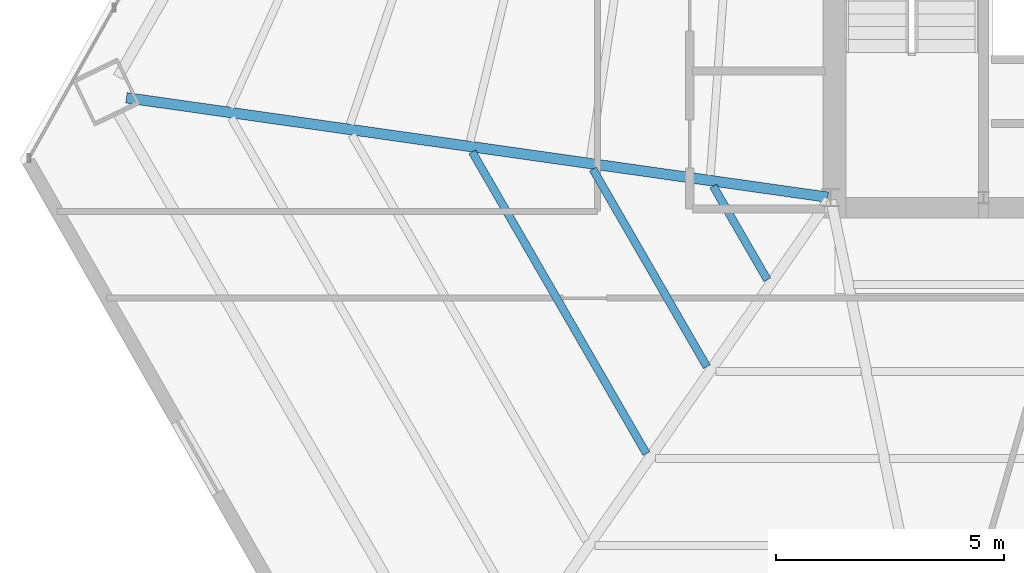
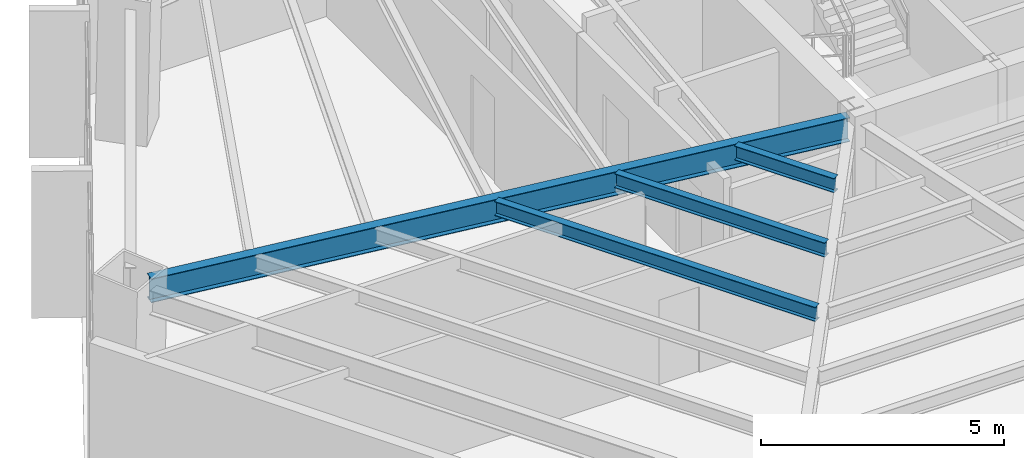
# One storey, part 7 of 36: 4 beams.
"""IFC4 building model written with IfcOpenShell, lengths in metres."""

from ifc_helpers import new_model, si_unit, direction, frame, origin, origin_2d, place, context, subcontext, project, spatial, i_section, extrude, source, transform, mapped, material, material_profile, profile_set, type_object, type_shapes, element, save


model = new_model("IFC4")

# Units and contexts
model_context = context("Model", 3, precision=1e-05, world=origin(), true_north=direction((0.0, 1.0)))
body_context = subcontext(model_context, "Body", "Model", "MODEL_VIEW")
ifc_project = project(units=[si_unit("LENGTHUNIT", "METRE"), si_unit("AREAUNIT", "SQUARE_METRE"), si_unit("VOLUMEUNIT", "CUBIC_METRE"), si_unit("PLANEANGLEUNIT", "RADIAN"), si_unit("MASSUNIT", "GRAM", prefix="KILO")], contexts=[model_context])

# Site, building, storey
site_placement = place(None, origin())
site = spatial("IfcSite", under=ifc_project, at=site_placement, CompositionType="ELEMENT")
building_placement = place(site_placement, origin())
building = spatial("IfcBuilding", under=site, at=building_placement, Name="Caelisora Broadcast Tower", CompositionType="ELEMENT")
storey_placement = place(building_placement, frame((0.0, 0.0, 83.5)))
storey = spatial("IfcBuildingStorey", under=building, at=storey_placement, Name="L21", CompositionType="ELEMENT", Elevation=83.5)

# Beams
ifc_material = material(Name="Steel Grade 350 (AS/NZS 3679.1)", Category="steel")
ifc_material_profile_1 = material_profile(ifc_material, i_section(OverallWidth=0.22802734375, OverallDepth=0.602294921875, WebThickness=0.010498046875, FlangeThickness=0.014892578125, at=origin_2d()), Name="Steel Grade 350 (AS/NZS 3679.1)")
ifc_profile_set_1 = profile_set([ifc_material_profile_1], Name="Steel Grade 350 (AS/NZS 3679.1)")
beam_type_1 = type_object("IfcBeamType", Name="PG04", PredefinedType="BEAM", material=ifc_profile_set_1)
shared_shape_1 = source(origin(), body_context, "Body", "SweptSolid", [
    extrude(i_section(OverallWidth=0.22802734375, OverallDepth=0.602294921875, WebThickness=0.010498046875, FlangeThickness=0.014892578125, at=origin_2d()), origin(), (0.0, 0.0, 1.0), 15.501953125),
])
type_shapes(beam_type_1, [shared_shape_1])
beam_1_placement = place(storey_placement, frame((30.440673828125, 17.408447265625, 3.098876953125), z_axis=(-0.990096679829, 0.140387195253, 0.0), x_axis=(-0.140387195253, -0.990096679829, 0.0)))
element("IfcBeam", 1, at=beam_1_placement, inside=storey, type_object=beam_type_1, Name="L21 beam PG04", PredefinedType="BEAM", context=body_context, shape_type="MappedRepresentation", body=[
    mapped(shared_shape_1, transform((0.0, 0.0, 0.0), scale=1.0)),
])
ifc_material_profile_2 = material_profile(ifc_material, i_section(OverallWidth=0.172119140625, OverallDepth=0.358642578125, WebThickness=0.008056640625, FlangeThickness=0.012939453125, at=origin_2d()), Name="Steel Grade 350 (AS/NZS 3679.1)")
ifc_profile_set_2 = profile_set([ifc_material_profile_2], Name="Steel Grade 350 (AS/NZS 3679.1)")
beam_type_2 = type_object("IfcBeamType", Name="SB02", PredefinedType="JOIST", material=ifc_profile_set_2)
shared_shape_2 = source(origin(), body_context, "Body", "SweptSolid", [
    extrude(i_section(OverallWidth=0.172119140625, OverallDepth=0.358642578125, WebThickness=0.008056640625, FlangeThickness=0.012939453125, at=origin_2d()), origin(), (0.0, 0.0, 1.0), 2.364990234375),
])
beam_2_placement = place(storey_placement, frame((27.93359375, 17.651123046875, 3.220703125), z_axis=(0.50004711805, -0.865998198456, 0.0), x_axis=(0.865998198456, 0.50004711805, 0.0)))
element("IfcBeam", 2, at=beam_2_placement, inside=storey, type_object=beam_type_2, Name="L21 beam SB02", PredefinedType="JOIST", context=body_context, shape_type="MappedRepresentation", body=[
    mapped(shared_shape_2, transform((0.0, 0.0, 0.0), scale=1.0)),
])
shared_shape_3 = source(origin(), body_context, "Body", "SweptSolid", [
    extrude(i_section(OverallWidth=0.172119140625, OverallDepth=0.358642578125, WebThickness=0.008056640625, FlangeThickness=0.012939453125, at=origin_2d()), origin(), (0.0, 0.0, 1.0), 4.99462890625),
])
beam_3_placement = place(storey_placement, frame((25.29638671875, 18.025146484375, 3.220703125), z_axis=(0.50000312645, -0.86602359872, 0.0), x_axis=(0.86602359872, 0.50000312645, 0.0)))
element("IfcBeam", 3, at=beam_3_placement, inside=storey, type_object=beam_type_2, Name="L21 beam SB02", PredefinedType="JOIST", context=body_context, shape_type="MappedRepresentation", body=[
    mapped(shared_shape_3, transform((0.0, 0.0, 0.0), scale=1.0)),
])
shared_shape_4 = source(origin(), body_context, "Body", "SweptSolid", [
    extrude(i_section(OverallWidth=0.172119140625, OverallDepth=0.358642578125, WebThickness=0.008056640625, FlangeThickness=0.012939453125, at=origin_2d()), origin(), (0.0, 0.0, 1.0), 7.6240234375),
])
type_shapes(beam_type_2, [shared_shape_2, shared_shape_3, shared_shape_4])
beam_4_placement = place(storey_placement, frame((22.6591796875, 18.39892578125, 3.220703125), z_axis=(0.500003346055, -0.86602347193, 0.0), x_axis=(0.86602347193, 0.500003346055, 0.0)))
element("IfcBeam", 4, at=beam_4_placement, inside=storey, type_object=beam_type_2, Name="L21 beam SB02", PredefinedType="JOIST", context=body_context, shape_type="MappedRepresentation", body=[
    mapped(shared_shape_4, transform((0.0, 0.0, 0.0), scale=1.0)),
])

save(model, "model.ifc")
